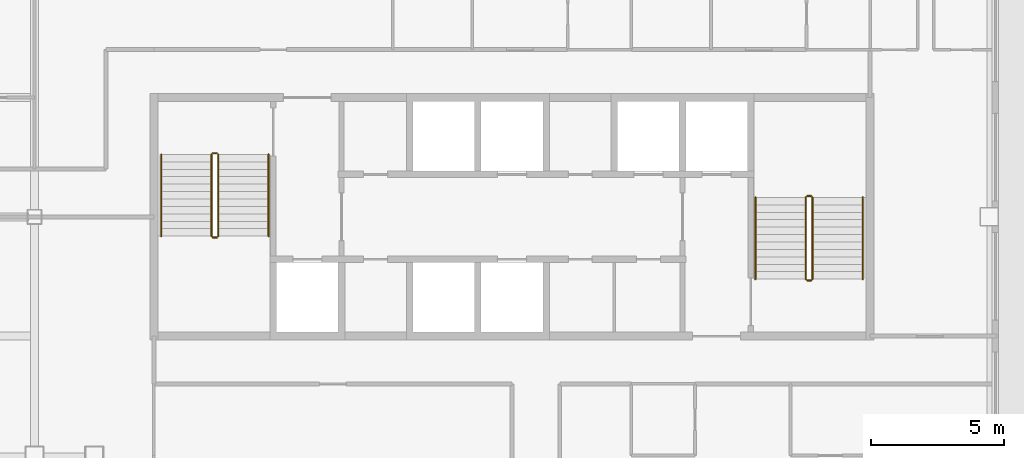
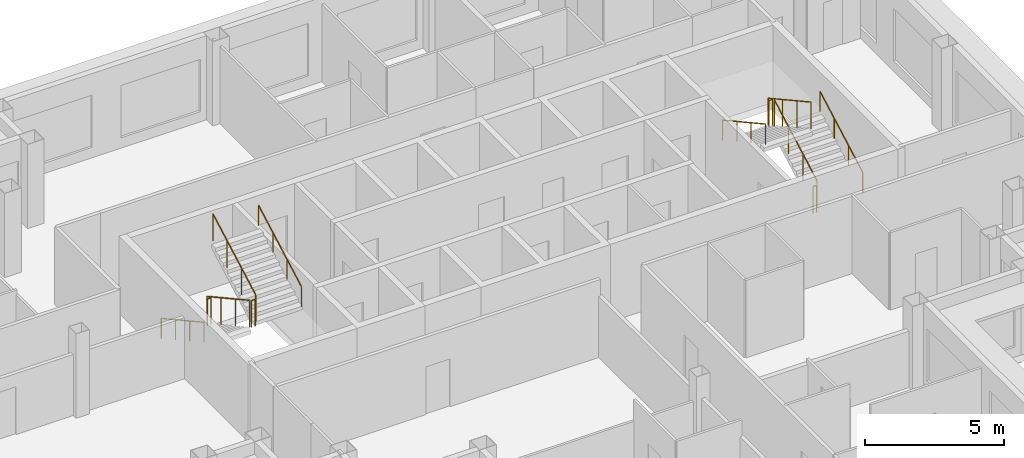
# One storey, part 12 of 12: 12 railings.
"""IFC4 building model written with IfcOpenShell, lengths in metres."""

import ifcopenshell
import ifcopenshell.guid

model = None  # the IFC model being written
_history = None  # IfcOwnerHistory: only IFC2X3 demands one
_inside = {}  # id of a spatial element -> (the spatial element, [elements in it])
_under = {}  # id of a project, library or spatial element -> (it, [spatial elements below it])
_declared = {}  # id of a project -> (the project, [libraries it declares])
_typed = {}  # id of a type object -> (the type object, [elements of that type])
_made_of = {}  # id of a material, layer set ... -> (it, [elements and type objects made of it])


def new_model(schema):
    """Start an empty IFC model of exactly this schema.

    Asked for "IFC4X3", IfcOpenShell would pick the latest addendum, in which some entities
    have other attributes; the version numbers below select the first issue.
    IFC2X3 requires an IfcOwnerHistory on every rooted entity: one is made here for all.
    """
    global model, _history
    if schema == "IFC4X3":
        model = ifcopenshell.file(schema_version=(4, 3, 0, 0))
    else:
        model = ifcopenshell.file(schema=schema)
    _inside.clear()
    _under.clear()
    _declared.clear()
    _typed.clear()
    _made_of.clear()
    _history = None
    if model.schema == "IFC2X3":
        org = make("IfcOrganization", Name="unknown")
        user = make(
            "IfcPersonAndOrganization",
            ThePerson=make("IfcPerson", FamilyName="unknown"),
            TheOrganization=org,
        )
        app = make(
            "IfcApplication",
            ApplicationDeveloper=org,
            Version="unknown",
            ApplicationFullName="unknown",
            ApplicationIdentifier="unknown",
        )
        _history = make(
            "IfcOwnerHistory",
            OwningUser=user,
            OwningApplication=app,
            ChangeAction="ADDED",
            CreationDate=0,
        )
    return model


def make(cls, **values):
    """One entity of the class cls with the attributes given. An attribute that is None is left unset."""
    return model.create_entity(
        cls, **{name: value for name, value in values.items() if value is not None}
    )


def rooted(cls, **values):
    """An entity with a GlobalId (a new one), such as an element, a storey or a relation."""
    return make(cls, GlobalId=ifcopenshell.guid.new(), OwnerHistory=_history, **values)


def si_unit(unit_type, name, prefix=None):
    """IfcSIUnit, for example si_unit("LENGTHUNIT", "METRE", prefix="MILLI")."""
    return make("IfcSIUnit", UnitType=unit_type, Prefix=prefix, Name=name)


def assignment(units):
    """IfcUnitAssignment: the units of a project."""
    return None if units is None else make("IfcUnitAssignment", Units=units)


def point(xyz):
    """IfcCartesianPoint."""
    return None if xyz is None else make("IfcCartesianPoint", Coordinates=xyz)


def direction(xyz):
    """IfcDirection."""
    return None if xyz is None else make("IfcDirection", DirectionRatios=xyz)


def frame(location, z_axis=None, x_axis=None):
    """IfcAxis2Placement3D, a coordinate frame: its origin and axes. An axis left out is left unset."""
    return make(
        "IfcAxis2Placement3D",
        Location=point(location),
        Axis=direction(z_axis),
        RefDirection=direction(x_axis),
    )


def frame_2d(location, x_axis=None):
    """IfcAxis2Placement2D, a coordinate frame in the plane: its origin and x axis."""
    return make(
        "IfcAxis2Placement2D", Location=point(location), RefDirection=direction(x_axis)
    )


def origin():
    """The frame at (0, 0, 0) with its axes left unset."""
    return frame((0.0, 0.0, 0.0))


def origin_2d():
    """The frame at (0, 0) in the plane with its x axis left unset."""
    return frame_2d((0.0, 0.0))


def place(relative_to, where):
    """IfcLocalPlacement: puts the frame where relative to a parent placement (None: the world)."""
    return make(
        "IfcLocalPlacement", PlacementRelTo=relative_to, RelativePlacement=where
    )


def context(
    kind, dimensions, precision=None, world=None, true_north=None, identifier=None
):
    """IfcGeometricRepresentationContext, for example the 3D "Model" context."""
    return make(
        "IfcGeometricRepresentationContext",
        ContextIdentifier=identifier,
        ContextType=kind,
        CoordinateSpaceDimension=dimensions,
        Precision=precision,
        WorldCoordinateSystem=world,
        TrueNorth=true_north,
    )


def subcontext(parent, identifier, kind, view, scale=None):
    """IfcGeometricRepresentationSubContext, for example "Body" below "Model"."""
    return make(
        "IfcGeometricRepresentationSubContext",
        ContextIdentifier=identifier,
        ContextType=kind,
        ParentContext=parent,
        TargetScale=scale,
        TargetView=view,
    )


def project(units=None, contexts=None):
    """IfcProject with its units and contexts."""
    return rooted(
        "IfcProject",
        Name="project",
        RepresentationContexts=contexts,
        UnitsInContext=assignment(units),
    )


def spatial(cls, under=None, at=None, **own):
    """A site, building, storey or space (cls), placed at a placement, below another one or the project."""
    s = rooted(cls, ObjectPlacement=at, **own)
    if under is not None:
        _under.setdefault(under.id(), (under, []))[1].append(s)
    return s


def profile(cls, at=None, kind="AREA", **sizes):
    """A parametric profile (cls). Its sizes go by their IFC names, for example OverallWidth=200.0."""
    return make(cls, ProfileType=kind, Position=at, **sizes)


def circle(**sizes):
    """IfcCircleProfileDef."""
    return profile("IfcCircleProfileDef", **sizes)


def extrude(swept, where, along, depth):
    """IfcExtrudedAreaSolid: the profile swept, set in the frame where, extruded along a direction by depth."""
    return make(
        "IfcExtrudedAreaSolid",
        SweptArea=swept,
        Position=where,
        ExtrudedDirection=direction(along),
        Depth=depth,
    )


def shape(context_of_items, identifier, shape_type, items):
    """IfcShapeRepresentation: the items that make up one representation, for example the "Body"."""
    return make(
        "IfcShapeRepresentation",
        ContextOfItems=context_of_items,
        RepresentationIdentifier=identifier,
        RepresentationType=shape_type,
        Items=items,
    )


def material(Name=None, Category=None):
    """IfcMaterial."""
    return make("IfcMaterial", Name=Name, Category=Category)


def made_of(thing, what):
    """Note that an element or type object is made of a material, layer set ...; save() writes the relation."""
    if what is not None:
        _made_of.setdefault(what.id(), (what, []))[1].append(thing)
    return thing


def type_object(cls, material=None, **own):
    """A type object (cls), such as IfcWallType, which elements share."""
    return made_of(rooted(cls, **own), material)


def element(
    cls,
    number,
    at=None,
    inside=None,
    cuts=None,
    type_object=None,
    material=None,
    context=None,
    identifier="Body",
    shape_type=None,
    held_by="IfcProductDefinitionShape",
    body=None,
    shapes=None,
    **own,
):
    """One element of the class cls, such as IfcWall. Its Tag is "e" and its number.

    at: its placement. inside: the storey or other place that contains it. cuts: it is an
    opening in that element (IfcRelVoidsElement). A single representation is given by context,
    identifier, shape_type and body (its items); several are given by shapes. held_by: the class
    of the entity that holds the representations. save() writes the other relations.
    """
    e = rooted(cls, Tag="e%d" % number, ObjectPlacement=at, **own)
    if body is not None:
        shapes = [shape(context, identifier, shape_type, body)]
    if shapes is not None:
        e.Representation = make(held_by, Representations=shapes)
    if inside is not None:
        _inside.setdefault(inside.id(), (inside, []))[1].append(e)
    if cuts is not None:
        rooted(
            "IfcRelVoidsElement", RelatingBuildingElement=cuts, RelatedOpeningElement=e
        )
    if type_object is not None:
        _typed.setdefault(type_object.id(), (type_object, []))[1].append(e)
    return made_of(e, material)


def aggregate(whole, parts):
    """IfcRelAggregates: a whole, such as a stair, and the parts it consists of."""
    return rooted("IfcRelAggregates", RelatingObject=whole, RelatedObjects=parts)


def save(model, path):
    """Write the relations noted so far, then the file.

    IfcRelAggregates (storeys below a building ...), IfcRelContainedInSpatialStructure (elements
    in a storey), IfcRelDefinesByType, IfcRelAssociatesMaterial and IfcRelDeclares: one each for
    every whole, place, type object, material and project.
    """
    for whole, parts in _under.values():
        aggregate(whole, parts)
    for where, things in _inside.values():
        rooted(
            "IfcRelContainedInSpatialStructure",
            RelatedElements=things,
            RelatingStructure=where,
        )
    for kind, things in _typed.values():
        rooted("IfcRelDefinesByType", RelatedObjects=things, RelatingType=kind)
    for what, things in _made_of.values():
        rooted("IfcRelAssociatesMaterial", RelatedObjects=things, RelatingMaterial=what)
    for by, libraries in _declared.values():
        rooted("IfcRelDeclares", RelatingContext=by, RelatedDefinitions=libraries)
    model.write(path)


model = new_model("IFC4")

# Units and contexts
model_context = context("Model", 3, precision=1e-05, world=origin(), true_north=direction((0.0, 1.0)))
body_context = subcontext(model_context, "Body", "Model", "MODEL_VIEW")
ifc_project = project(units=[si_unit("LENGTHUNIT", "METRE"), si_unit("AREAUNIT", "SQUARE_METRE"), si_unit("VOLUMEUNIT", "CUBIC_METRE"), si_unit("PLANEANGLEUNIT", "RADIAN"), si_unit("MASSUNIT", "GRAM", prefix="KILO")], contexts=[model_context])

# Site, building, storey
site_placement = place(None, origin())
site = spatial("IfcSite", under=ifc_project, at=site_placement, CompositionType="ELEMENT")
building_placement = place(site_placement, origin())
building = spatial("IfcBuilding", under=site, at=building_placement, Name="Caravel Reach Hotel and Residences", CompositionType="ELEMENT")
storey_placement = place(building_placement, frame((0.0, 0.0, 199.800048828125)))
storey = spatial("IfcBuildingStorey", under=building, at=storey_placement, Name="L50", CompositionType="ELEMENT", Elevation=199.800048828125)

# Railings
ifc_material_1 = material(Name="Steel balustrade with glass infill", Category="steel")
railing_type_1 = type_object("IfcRailingType", Name="Guard 1200", PredefinedType="GUARDRAIL", material=ifc_material_1)
railing_1_placement = place(storey_placement, frame((20.175048828125, 29.35009765625, 0.154052734375)))
element("IfcRailing", 1, at=railing_1_placement, inside=storey, type_object=railing_type_1, Name="L50 ST-A stair guard 1", PredefinedType="GUARDRAIL", context=body_context, shape_type="SweptSolid", body=[
    extrude(circle(Radius=0.02392578125, at=origin_2d()), frame((0.0, 0.0, 1.17578125), z_axis=(0.0, -0.876004717809, 0.482302534076), x_axis=(1.0, 0.0, 0.0)), (0.0, 0.0, 1.0), 3.51611328125),
    extrude(circle(Radius=0.02099609375, at=origin_2d()), origin(), (0.0, 0.0, 1.0), 1.15185546875),
    extrude(circle(Radius=0.02099609375, at=origin_2d()), frame((0.0, -1.026611328125, 0.565185546875)), (0.0, 0.0, 1.0), 1.15185546875),
    extrude(circle(Radius=0.02099609375, at=origin_2d()), frame((0.0, -2.053466796875, 1.130615234375)), (0.0, 0.0, 1.0), 1.15185546875),
    extrude(circle(Radius=0.02099609375, at=origin_2d()), frame((0.0, -3.080078125, 1.69580078125)), (0.0, 0.0, 1.0), 1.15185546875),
])
railing_2_placement = place(storey_placement, frame((20.22509765625, 26.219970703125, 1.849853515625)))
element("IfcRailing", 2, at=railing_2_placement, inside=storey, type_object=railing_type_1, Name="L50 ST-A stair guard 2", PredefinedType="GUARDRAIL", context=body_context, shape_type="SweptSolid", body=[
    extrude(circle(Radius=0.02392578125, at=origin_2d()), frame((0.0, 0.0, 1.17578125), z_axis=(1.0, 0.0, 0.0), x_axis=(0.0, 1.0, 0.0)), (0.0, 0.0, 1.0), 0.14990234375),
    extrude(circle(Radius=0.02099609375, at=origin_2d()), origin(), (0.0, 0.0, 1.0), 1.15185546875),
    extrude(circle(Radius=0.02099609375, at=origin_2d()), frame((0.14990234375, 0.0, 0.0)), (0.0, 0.0, 1.0), 1.15185546875),
])
railing_3_placement = place(storey_placement, frame((20.425048828125, 26.27001953125, 2.004150390625)))
element("IfcRailing", 3, at=railing_3_placement, inside=storey, type_object=railing_type_1, Name="L50 ST-A stair guard 3", PredefinedType="GUARDRAIL", context=body_context, shape_type="SweptSolid", body=[
    extrude(circle(Radius=0.02392578125, at=origin_2d()), frame((0.0, 0.0, 1.17578125), z_axis=(0.0, 0.876004717809, 0.482302534076), x_axis=(-1.0, 0.0, 0.0)), (0.0, 0.0, 1.0), 3.51611328125),
    extrude(circle(Radius=0.02099609375, at=origin_2d()), origin(), (0.0, 0.0, 1.0), 1.15185546875),
    extrude(circle(Radius=0.02099609375, at=origin_2d()), frame((0.0, 1.026611328125, 0.565185546875)), (0.0, 0.0, 1.0), 1.15185546875),
    extrude(circle(Radius=0.02099609375, at=origin_2d()), frame((0.0, 2.053466796875, 1.130615234375)), (0.0, 0.0, 1.0), 1.15185546875),
    extrude(circle(Radius=0.02099609375, at=origin_2d()), frame((0.0, 3.080078125, 1.69580078125)), (0.0, 0.0, 1.0), 1.15185546875),
])
railing_4_placement = place(storey_placement, frame((20.22509765625, 29.39990234375, 0.0)))
element("IfcRailing", 4, at=railing_4_placement, inside=storey, type_object=railing_type_1, Name="L50 ST-A stair guard 4", PredefinedType="GUARDRAIL", context=body_context, shape_type="SweptSolid", body=[
    extrude(circle(Radius=0.02392578125, at=origin_2d()), frame((0.0, 0.0, 1.17578125), z_axis=(1.0, 0.0, 0.0), x_axis=(0.0, 1.0, 0.0)), (0.0, 0.0, 1.0), 0.14990234375),
    extrude(circle(Radius=0.02099609375, at=origin_2d()), origin(), (0.0, 0.0, 1.0), 1.15185546875),
    extrude(circle(Radius=0.02099609375, at=origin_2d()), frame((0.14990234375, 0.0, 0.0)), (0.0, 0.0, 1.0), 1.15185546875),
])
railing_5_placement = place(storey_placement, frame((42.824951171875, 24.64990234375, 0.154052734375)))
element("IfcRailing", 5, at=railing_5_placement, inside=storey, type_object=railing_type_1, Name="L50 ST-B stair guard 1", PredefinedType="GUARDRAIL", context=body_context, shape_type="SweptSolid", body=[
    extrude(circle(Radius=0.02392578125, at=origin_2d()), frame((0.0, 0.0, 1.17578125), z_axis=(0.0, 0.876004717809, 0.482302534076), x_axis=(-1.0, 0.0, 0.0)), (0.0, 0.0, 1.0), 3.51611328125),
    extrude(circle(Radius=0.02099609375, at=origin_2d()), origin(), (0.0, 0.0, 1.0), 1.15185546875),
    extrude(circle(Radius=0.02099609375, at=origin_2d()), frame((0.0, 1.026611328125, 0.565185546875)), (0.0, 0.0, 1.0), 1.15185546875),
    extrude(circle(Radius=0.02099609375, at=origin_2d()), frame((0.0, 2.053466796875, 1.130615234375)), (0.0, 0.0, 1.0), 1.15185546875),
    extrude(circle(Radius=0.02099609375, at=origin_2d()), frame((0.0, 3.080078125, 1.69580078125)), (0.0, 0.0, 1.0), 1.15185546875),
])
railing_6_placement = place(storey_placement, frame((42.77490234375, 27.780029296875, 1.849853515625)))
element("IfcRailing", 6, at=railing_6_placement, inside=storey, type_object=railing_type_1, Name="L50 ST-B stair guard 2", PredefinedType="GUARDRAIL", context=body_context, shape_type="SweptSolid", body=[
    extrude(circle(Radius=0.02392578125, at=origin_2d()), frame((0.0, 0.0, 1.17578125), z_axis=(-1.0, 0.0, 0.0), x_axis=(0.0, -1.0, 0.0)), (0.0, 0.0, 1.0), 0.14990234375),
    extrude(circle(Radius=0.02099609375, at=origin_2d()), origin(), (0.0, 0.0, 1.0), 1.15185546875),
    extrude(circle(Radius=0.02099609375, at=origin_2d()), frame((-0.14990234375, 0.0, 0.0)), (0.0, 0.0, 1.0), 1.15185546875),
])
railing_7_placement = place(storey_placement, frame((42.574951171875, 27.72998046875, 2.004150390625)))
element("IfcRailing", 7, at=railing_7_placement, inside=storey, type_object=railing_type_1, Name="L50 ST-B stair guard 3", PredefinedType="GUARDRAIL", context=body_context, shape_type="SweptSolid", body=[
    extrude(circle(Radius=0.02392578125, at=origin_2d()), frame((0.0, 0.0, 1.17578125), z_axis=(0.0, -0.876004717809, 0.482302534076), x_axis=(1.0, 0.0, 0.0)), (0.0, 0.0, 1.0), 3.51611328125),
    extrude(circle(Radius=0.02099609375, at=origin_2d()), origin(), (0.0, 0.0, 1.0), 1.15185546875),
    extrude(circle(Radius=0.02099609375, at=origin_2d()), frame((0.0, -1.026611328125, 0.565185546875)), (0.0, 0.0, 1.0), 1.15185546875),
    extrude(circle(Radius=0.02099609375, at=origin_2d()), frame((0.0, -2.053466796875, 1.130615234375)), (0.0, 0.0, 1.0), 1.15185546875),
    extrude(circle(Radius=0.02099609375, at=origin_2d()), frame((0.0, -3.080078125, 1.69580078125)), (0.0, 0.0, 1.0), 1.15185546875),
])
railing_8_placement = place(storey_placement, frame((42.77490234375, 24.60009765625, 0.0)))
element("IfcRailing", 8, at=railing_8_placement, inside=storey, type_object=railing_type_1, Name="L50 ST-B stair guard 4", PredefinedType="GUARDRAIL", context=body_context, shape_type="SweptSolid", body=[
    extrude(circle(Radius=0.02392578125, at=origin_2d()), frame((0.0, 0.0, 1.17578125), z_axis=(-1.0, 0.0, 0.0), x_axis=(0.0, -1.0, 0.0)), (0.0, 0.0, 1.0), 0.14990234375),
    extrude(circle(Radius=0.02099609375, at=origin_2d()), origin(), (0.0, 0.0, 1.0), 1.15185546875),
    extrude(circle(Radius=0.02099609375, at=origin_2d()), frame((-0.14990234375, 0.0, 0.0)), (0.0, 0.0, 1.0), 1.15185546875),
])
ifc_material_2 = material(Name="Stainless steel handrail", Category="steel")
railing_type_2 = type_object("IfcRailingType", Name="Handrail 900", PredefinedType="HANDRAIL", material=ifc_material_2)
railing_9_placement = place(storey_placement, frame((18.27490234375, 29.35009765625, 0.154052734375)))
element("IfcRailing", 9, at=railing_9_placement, inside=storey, type_object=railing_type_2, Name="L50 ST-A stair handrail 1", PredefinedType="HANDRAIL", context=body_context, shape_type="SweptSolid", body=[
    extrude(circle(Radius=0.02392578125, at=origin_2d()), frame((0.0, 0.0, 0.8759765625), z_axis=(0.0, -0.876004717809, 0.482302534076), x_axis=(1.0, 0.0, 0.0)), (0.0, 0.0, 1.0), 3.51611328125),
    extrude(circle(Radius=0.02099609375, at=origin_2d()), origin(), (0.0, 0.0, 1.0), 0.851806640625),
    extrude(circle(Radius=0.02099609375, at=origin_2d()), frame((0.0, -1.026611328125, 0.565185546875)), (0.0, 0.0, 1.0), 0.851806640625),
    extrude(circle(Radius=0.02099609375, at=origin_2d()), frame((0.0, -2.053466796875, 1.130615234375)), (0.0, 0.0, 1.0), 0.851806640625),
    extrude(circle(Radius=0.02099609375, at=origin_2d()), frame((0.0, -3.080078125, 1.69580078125)), (0.0, 0.0, 1.0), 0.851806640625),
])
for number, where, name in (
    (10, (22.324951171875, 26.27001953125, 2.004150390625), "L50 ST-A stair handrail 2"),
    (11, (44.72509765625, 24.64990234375, 0.154052734375), "L50 ST-B stair handrail 1"),
):
    element("IfcRailing", number, at=place(storey_placement, frame(where)), inside=storey, type_object=railing_type_2, Name=name, PredefinedType="HANDRAIL", context=body_context, shape_type="SweptSolid", body=[
        extrude(circle(Radius=0.02392578125, at=origin_2d()), frame((0.0, 0.0, 0.8759765625), z_axis=(0.0, 0.876004717809, 0.482302534076), x_axis=(-1.0, 0.0, 0.0)), (0.0, 0.0, 1.0), 3.51611328125),
        extrude(circle(Radius=0.02099609375, at=origin_2d()), origin(), (0.0, 0.0, 1.0), 0.851806640625),
        extrude(circle(Radius=0.02099609375, at=origin_2d()), frame((0.0, 1.026611328125, 0.565185546875)), (0.0, 0.0, 1.0), 0.851806640625),
        extrude(circle(Radius=0.02099609375, at=origin_2d()), frame((0.0, 2.053466796875, 1.130615234375)), (0.0, 0.0, 1.0), 0.851806640625),
        extrude(circle(Radius=0.02099609375, at=origin_2d()), frame((0.0, 3.080078125, 1.69580078125)), (0.0, 0.0, 1.0), 0.851806640625),
    ])
railing_10_placement = place(storey_placement, frame((40.675048828125, 27.72998046875, 2.004150390625)))
element("IfcRailing", 12, at=railing_10_placement, inside=storey, type_object=railing_type_2, Name="L50 ST-B stair handrail 2", PredefinedType="HANDRAIL", context=body_context, shape_type="SweptSolid", body=[
    extrude(circle(Radius=0.02392578125, at=origin_2d()), frame((0.0, 0.0, 0.8759765625), z_axis=(0.0, -0.876004717809, 0.482302534076), x_axis=(1.0, 0.0, 0.0)), (0.0, 0.0, 1.0), 3.51611328125),
    extrude(circle(Radius=0.02099609375, at=origin_2d()), origin(), (0.0, 0.0, 1.0), 0.851806640625),
    extrude(circle(Radius=0.02099609375, at=origin_2d()), frame((0.0, -1.026611328125, 0.565185546875)), (0.0, 0.0, 1.0), 0.851806640625),
    extrude(circle(Radius=0.02099609375, at=origin_2d()), frame((0.0, -2.053466796875, 1.130615234375)), (0.0, 0.0, 1.0), 0.851806640625),
    extrude(circle(Radius=0.02099609375, at=origin_2d()), frame((0.0, -3.080078125, 1.69580078125)), (0.0, 0.0, 1.0), 0.851806640625),
])

save(model, "model.ifc")
